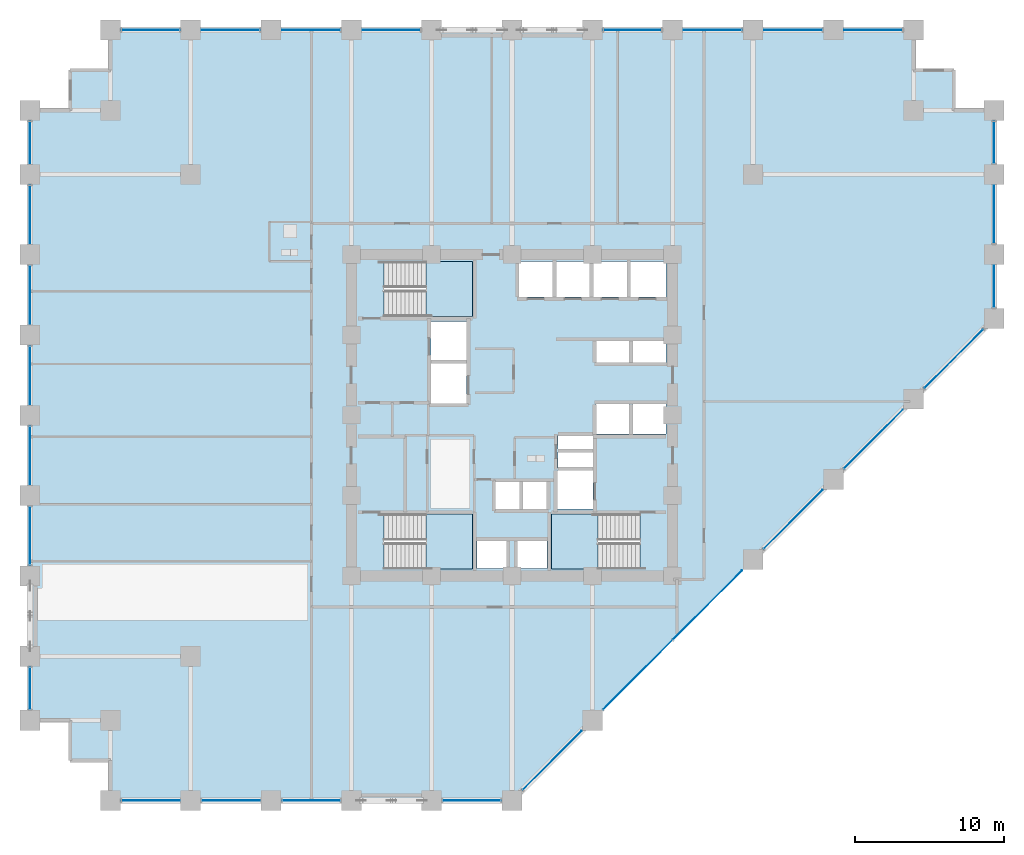
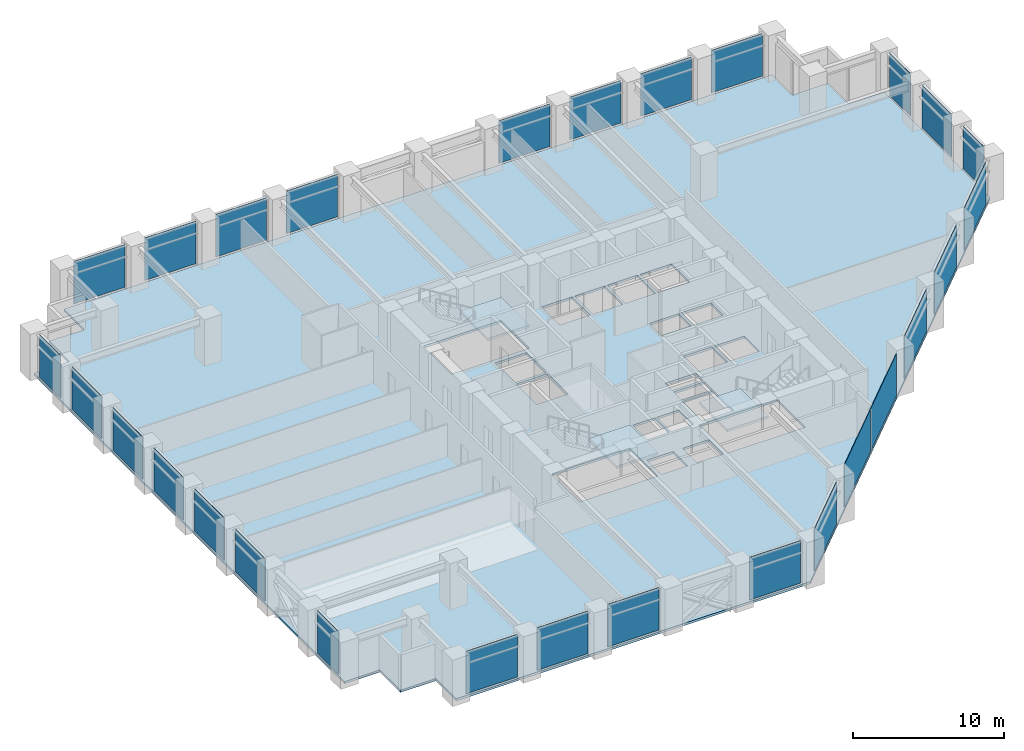
# One storey, part 18 of 25: 28 plates, 4 slabs, 11 elements without a shape of their own.
"""IFC4 building model written with IfcOpenShell, lengths in metres."""

from ifc_helpers import new_model, si_unit, direction, frame, frame_2d, origin, place, context, subcontext, project, spatial, polyline, rectangle, outline, extrude, material, layer, layer_set, type_object, element, aggregate, save


model = new_model("IFC4")

# Units and contexts
model_context = context("Model", 3, precision=1e-05, world=origin(), true_north=direction((0.0, 1.0)))
body_context = subcontext(model_context, "Body", "Model", "MODEL_VIEW")
ifc_project = project(units=[si_unit("LENGTHUNIT", "METRE"), si_unit("AREAUNIT", "SQUARE_METRE"), si_unit("VOLUMEUNIT", "CUBIC_METRE"), si_unit("PLANEANGLEUNIT", "RADIAN"), si_unit("MASSUNIT", "GRAM", prefix="KILO")], contexts=[model_context])

# Site, building, storey
site_placement = place(None, origin())
site = spatial("IfcSite", under=ifc_project, at=site_placement, CompositionType="ELEMENT")
building_placement = place(site_placement, origin())
building = spatial("IfcBuilding", under=site, at=building_placement, Name="Surkhivell Harbour Commons", CompositionType="ELEMENT")
storey_placement = place(building_placement, frame((0.0, 0.0, 41.25)))
storey = spatial("IfcBuildingStorey", under=building, at=storey_placement, Name="L10", CompositionType="ELEMENT", Elevation=41.25)

# Curtain wall, plates
ifc_material_1 = material(Name="Anodised pale-metal aluminium and insulated glazing", Category="aluminium")
ifc_layer_1 = layer(ifc_material_1, 0.219970703125)
ifc_layer_set_1 = layer_set([ifc_layer_1], Name="Anodised pale-metal aluminium and insulated glazing")
curtain_wall_type = type_object("IfcCurtainWallType", Name="CW-SYS-Z1", PredefinedType="NOTDEFINED", material=ifc_layer_set_1)
curtain_wall_1_placement = place(storey_placement, origin())
curtain_wall_1 = element("IfcCurtainWall", 1, at=curtain_wall_1_placement, inside=storey, type_object=curtain_wall_type, Name="L10 Curtain Wall CW-L10-E00S1", PredefinedType="NOTDEFINED")
ifc_material_2 = material(Name="Double-silver low-E laminated vision glass", Category="glass")
ifc_layer_2 = layer(ifc_material_2, 0.031982421875)
ifc_layer_set_2 = layer_set([ifc_layer_2], Name="Double-silver low-E laminated vision glass")
plate_type = type_object("IfcPlateType", Name="CWP-GLZ-32", PredefinedType="CURTAIN_PANEL", material=ifc_layer_set_2)
plate_1_placement = place(storey_placement, frame((-26.248046875, -25.89990234375, 0.14990234375), z_axis=(0.0, 0.0, 1.0), x_axis=(1.0, 0.0, 0.0)))
plate_1 = element("IfcPlate", 2, at=plate_1_placement, type_object=plate_type, Name="CW-Z1 panel 1.1", PredefinedType="CURTAIN_PANEL", context=body_context, shape_type="SweptSolid", body=[
    extrude(rectangle(XDim=3.89599609375, YDim=0.031982421875, at=frame_2d((1.947998046875, 0.0))), origin(), (0.0, 0.0, 1.0), 3.420166015625),
])
plate_2_placement = place(storey_placement, frame((-20.847900390625, -25.89990234375, 0.14990234375), z_axis=(0.0, 0.0, 1.0), x_axis=(1.0, 0.0, 0.0)))
plate_2 = element("IfcPlate", 3, at=plate_2_placement, type_object=plate_type, Name="CW-Z1 panel 2.1", PredefinedType="CURTAIN_PANEL", context=body_context, shape_type="SweptSolid", body=[
    extrude(rectangle(XDim=3.89599609375, YDim=0.031982421875, at=frame_2d((1.947998046875, 0.0))), origin(), (0.0, 0.0, 1.0), 3.420166015625),
])
plate_3_placement = place(storey_placement, frame((-15.447998046875, -25.89990234375, 0.14990234375), z_axis=(0.0, 0.0, 1.0), x_axis=(1.0, 0.0, 0.0)))
plate_3 = element("IfcPlate", 4, at=plate_3_placement, type_object=plate_type, Name="CW-Z1 panel 3.1", PredefinedType="CURTAIN_PANEL", context=body_context, shape_type="SweptSolid", body=[
    extrude(rectangle(XDim=3.89599609375, YDim=0.031982421875, at=frame_2d((1.947998046875, 0.0))), origin(), (0.0, 0.0, 1.0), 3.420166015625),
])
aggregate(curtain_wall_1, [plate_1, plate_2, plate_3])

# Curtain wall, plate
curtain_wall_2_placement = place(storey_placement, origin())
curtain_wall_2 = element("IfcCurtainWall", 5, at=curtain_wall_2_placement, inside=storey, type_object=curtain_wall_type, Name="L10 Curtain Wall CW-L10-E00S2", PredefinedType="NOTDEFINED")
plate_4_placement = place(storey_placement, frame((-4.64794921875, -25.89990234375, 0.14990234375), z_axis=(0.0, 0.0, 1.0), x_axis=(1.0, 0.0, 0.0)))
plate_4 = element("IfcPlate", 6, at=plate_4_placement, type_object=plate_type, Name="CW-Z1 panel 1.1", PredefinedType="CURTAIN_PANEL", context=body_context, shape_type="SweptSolid", body=[
    extrude(rectangle(XDim=3.89599609375, YDim=0.031982421875, at=frame_2d((1.947998046875, 0.0))), origin(), (0.0, 0.0, 1.0), 3.420166015625),
])
aggregate(curtain_wall_2, [plate_4])

# Curtain wall, plates
curtain_wall_3_placement = place(storey_placement, origin())
curtain_wall_3 = element("IfcCurtainWall", 7, at=curtain_wall_3_placement, inside=storey, type_object=curtain_wall_type, Name="L10 Curtain Wall CW-L10-E01", PredefinedType="NOTDEFINED")
plate_5_placement = place(storey_placement, frame((0.729736328125, -25.170166015625, 0.14990234375), z_axis=(0.0, 0.0, 1.0), x_axis=(0.707106781187, 0.707106781187, 0.0)))
plate_5 = element("IfcPlate", 8, at=plate_5_placement, type_object=plate_type, Name="CW-Z1 panel 1.1", PredefinedType="CURTAIN_PANEL", context=body_context, shape_type="SweptSolid", body=[
    extrude(rectangle(XDim=5.572509765625, YDim=0.031982421875, at=frame_2d((2.7861328125, 0.0))), origin(), (0.0, 0.0, 1.0), 3.420166015625),
])
plate_6_placement = place(storey_placement, frame((6.1298828125, -19.770263671875, 0.14990234375), z_axis=(0.0, 0.0, 1.0), x_axis=(0.707088192925, 0.70712536896, 0.0)))
plate_6 = element("IfcPlate", 9, at=plate_6_placement, type_object=plate_type, Name="CW-Z1 panel 2.1", PredefinedType="CURTAIN_PANEL", context=body_context, shape_type="SweptSolid", body=[
    extrude(rectangle(XDim=6.567138671875, YDim=0.031982421875, at=frame_2d((3.28369140625, 0.0))), origin(), (0.0, 0.0, 1.0), 3.420166015625),
])
plate_7_placement = place(storey_placement, frame((10.826416015625, -15.073486328125, 0.14990234375), z_axis=(0.0, 0.0, 1.0), x_axis=(0.70712536896, 0.707088192925, 0.0)))
plate_7 = element("IfcPlate", 10, at=plate_7_placement, type_object=plate_type, Name="CW-Z1 panel 3.1", PredefinedType="CURTAIN_PANEL", context=body_context, shape_type="SweptSolid", body=[
    extrude(rectangle(XDim=6.567138671875, YDim=0.031982421875, at=frame_2d((3.28369140625, 0.0))), origin(), (0.0, 0.0, 1.0), 3.420166015625),
])
plate_8_placement = place(storey_placement, frame((16.929931640625, -8.97021484375, 0.14990234375), z_axis=(0.0, 0.0, 1.0), x_axis=(0.707084874754, 0.70712868694, 0.0)))
plate_8 = element("IfcPlate", 11, at=plate_8_placement, type_object=plate_type, Name="CW-Z1 panel 4.1", PredefinedType="CURTAIN_PANEL", context=body_context, shape_type="SweptSolid", body=[
    extrude(rectangle(XDim=5.572509765625, YDim=0.031982421875, at=frame_2d((2.7861328125, 0.0))), origin(), (0.0, 0.0, 1.0), 3.420166015625),
])
plate_9_placement = place(storey_placement, frame((22.329833984375, -3.570068359375, 0.14990234375), z_axis=(0.0, 0.0, 1.0), x_axis=(0.70712868694, 0.707084874754, 0.0)))
plate_9 = element("IfcPlate", 12, at=plate_9_placement, type_object=plate_type, Name="CW-Z1 panel 5.1", PredefinedType="CURTAIN_PANEL", context=body_context, shape_type="SweptSolid", body=[
    extrude(rectangle(XDim=5.572509765625, YDim=0.031982421875, at=frame_2d((2.7861328125, 0.0))), origin(), (0.0, 0.0, 1.0), 3.420166015625),
])
plate_10_placement = place(storey_placement, frame((27.729736328125, 1.829833984375, 0.14990234375), z_axis=(0.0, 0.0, 1.0), x_axis=(0.707106781187, 0.707106781187, 0.0)))
plate_10 = element("IfcPlate", 13, at=plate_10_placement, type_object=plate_type, Name="CW-Z1 panel 6.1", PredefinedType="CURTAIN_PANEL", context=body_context, shape_type="SweptSolid", body=[
    extrude(rectangle(XDim=5.572509765625, YDim=0.031982421875, at=frame_2d((2.7861328125, 0.0))), origin(), (0.0, 0.0, 1.0), 3.420166015625),
])
aggregate(curtain_wall_3, [plate_5, plate_6, plate_7, plate_8, plate_9, plate_10])

curtain_wall_4_placement = place(storey_placement, origin())
curtain_wall_4 = element("IfcCurtainWall", 14, at=curtain_wall_4_placement, inside=storey, type_object=curtain_wall_type, Name="L10 Curtain Wall CW-L10-E02", PredefinedType="NOTDEFINED")
plate_11_placement = place(storey_placement, frame((32.39990234375, 7.251953125, 0.14990234375), z_axis=(0.0, 0.0, 1.0), x_axis=(0.0, 1.0, 0.0)))
plate_11 = element("IfcPlate", 15, at=plate_11_placement, type_object=plate_type, Name="CW-Z1 panel 1.1", PredefinedType="CURTAIN_PANEL", context=body_context, shape_type="SweptSolid", body=[
    extrude(rectangle(XDim=2.796142578125, YDim=0.031982421875, at=frame_2d((1.39794921875, 0.0))), origin(), (0.0, 0.0, 1.0), 3.420166015625),
])
plate_12_placement = place(storey_placement, frame((32.39990234375, 11.552001953125, 0.14990234375), z_axis=(0.0, 0.0, 1.0), x_axis=(0.0, 1.0, 0.0)))
plate_12 = element("IfcPlate", 16, at=plate_12_placement, type_object=plate_type, Name="CW-Z1 panel 2.1", PredefinedType="CURTAIN_PANEL", context=body_context, shape_type="SweptSolid", body=[
    extrude(rectangle(XDim=3.89599609375, YDim=0.031982421875, at=frame_2d((1.947998046875, 0.0))), origin(), (0.0, 0.0, 1.0), 3.420166015625),
])
plate_13_placement = place(storey_placement, frame((32.39990234375, 16.951904296875, 0.14990234375), z_axis=(0.0, 0.0, 1.0), x_axis=(0.0, 1.0, 0.0)))
plate_13 = element("IfcPlate", 17, at=plate_13_placement, type_object=plate_type, Name="CW-Z1 panel 3.1", PredefinedType="CURTAIN_PANEL", context=body_context, shape_type="SweptSolid", body=[
    extrude(rectangle(XDim=2.796142578125, YDim=0.031982421875, at=frame_2d((1.39794921875, 0.0))), origin(), (0.0, 0.0, 1.0), 3.420166015625),
])
aggregate(curtain_wall_4, [plate_11, plate_12, plate_13])

curtain_wall_5_placement = place(storey_placement, origin())
curtain_wall_5 = element("IfcCurtainWall", 18, at=curtain_wall_5_placement, inside=storey, type_object=curtain_wall_type, Name="L10 Curtain Wall CW-L10-E07S1", PredefinedType="NOTDEFINED")
plate_14_placement = place(storey_placement, frame((26.248046875, 25.89990234375, 0.14990234375), z_axis=(0.0, 0.0, 1.0), x_axis=(-1.0, 0.0, 0.0)))
plate_14 = element("IfcPlate", 19, at=plate_14_placement, type_object=plate_type, Name="CW-Z1 panel 1.1", PredefinedType="CURTAIN_PANEL", context=body_context, shape_type="SweptSolid", body=[
    extrude(rectangle(XDim=3.89599609375, YDim=0.031982421875, at=frame_2d((1.947998046875, 0.0))), origin(), (0.0, 0.0, 1.0), 3.420166015625),
])
plate_15_placement = place(storey_placement, frame((20.847900390625, 25.89990234375, 0.14990234375), z_axis=(0.0, 0.0, 1.0), x_axis=(-1.0, 0.0, 0.0)))
plate_15 = element("IfcPlate", 20, at=plate_15_placement, type_object=plate_type, Name="CW-Z1 panel 2.1", PredefinedType="CURTAIN_PANEL", context=body_context, shape_type="SweptSolid", body=[
    extrude(rectangle(XDim=3.89599609375, YDim=0.031982421875, at=frame_2d((1.947998046875, 0.0))), origin(), (0.0, 0.0, 1.0), 3.420166015625),
])
plate_16_placement = place(storey_placement, frame((15.447998046875, 25.89990234375, 0.14990234375), z_axis=(0.0, 0.0, 1.0), x_axis=(-1.0, 0.0, 0.0)))
plate_16 = element("IfcPlate", 21, at=plate_16_placement, type_object=plate_type, Name="CW-Z1 panel 3.1", PredefinedType="CURTAIN_PANEL", context=body_context, shape_type="SweptSolid", body=[
    extrude(rectangle(XDim=3.89599609375, YDim=0.031982421875, at=frame_2d((1.947998046875, 0.0))), origin(), (0.0, 0.0, 1.0), 3.420166015625),
])
plate_17_placement = place(storey_placement, frame((10.048095703125, 25.89990234375, 0.14990234375), z_axis=(0.0, 0.0, 1.0), x_axis=(-1.0, 0.0, 0.0)))
plate_17 = element("IfcPlate", 22, at=plate_17_placement, type_object=plate_type, Name="CW-Z1 panel 4.1", PredefinedType="CURTAIN_PANEL", context=body_context, shape_type="SweptSolid", body=[
    extrude(rectangle(XDim=3.89599609375, YDim=0.031982421875, at=frame_2d((1.947998046875, 0.0))), origin(), (0.0, 0.0, 1.0), 3.420166015625),
])
aggregate(curtain_wall_5, [plate_14, plate_15, plate_16, plate_17])

curtain_wall_6_placement = place(storey_placement, origin())
curtain_wall_6 = element("IfcCurtainWall", 23, at=curtain_wall_6_placement, inside=storey, type_object=curtain_wall_type, Name="L10 Curtain Wall CW-L10-E07S2", PredefinedType="NOTDEFINED")
plate_18_placement = place(storey_placement, frame((-6.152099609375, 25.89990234375, 0.14990234375), z_axis=(0.0, 0.0, 1.0), x_axis=(-1.0, 0.0, 0.0)))
plate_18 = element("IfcPlate", 24, at=plate_18_placement, type_object=plate_type, Name="CW-Z1 panel 1.1", PredefinedType="CURTAIN_PANEL", context=body_context, shape_type="SweptSolid", body=[
    extrude(rectangle(XDim=3.89599609375, YDim=0.031982421875, at=frame_2d((1.947998046875, 0.0))), origin(), (0.0, 0.0, 1.0), 3.420166015625),
])
plate_19_placement = place(storey_placement, frame((-11.552001953125, 25.89990234375, 0.14990234375), z_axis=(0.0, 0.0, 1.0), x_axis=(-1.0, 0.0, 0.0)))
plate_19 = element("IfcPlate", 25, at=plate_19_placement, type_object=plate_type, Name="CW-Z1 panel 2.1", PredefinedType="CURTAIN_PANEL", context=body_context, shape_type="SweptSolid", body=[
    extrude(rectangle(XDim=3.89599609375, YDim=0.031982421875, at=frame_2d((1.947998046875, 0.0))), origin(), (0.0, 0.0, 1.0), 3.420166015625),
])
plate_20_placement = place(storey_placement, frame((-16.951904296875, 25.89990234375, 0.14990234375), z_axis=(0.0, 0.0, 1.0), x_axis=(-1.0, 0.0, 0.0)))
plate_20 = element("IfcPlate", 26, at=plate_20_placement, type_object=plate_type, Name="CW-Z1 panel 3.1", PredefinedType="CURTAIN_PANEL", context=body_context, shape_type="SweptSolid", body=[
    extrude(rectangle(XDim=3.89599609375, YDim=0.031982421875, at=frame_2d((1.947998046875, 0.0))), origin(), (0.0, 0.0, 1.0), 3.420166015625),
])
plate_21_placement = place(storey_placement, frame((-22.35205078125, 25.89990234375, 0.14990234375), z_axis=(0.0, 0.0, 1.0), x_axis=(-1.0, 0.0, 0.0)))
plate_21 = element("IfcPlate", 27, at=plate_21_placement, type_object=plate_type, Name="CW-Z1 panel 4.1", PredefinedType="CURTAIN_PANEL", context=body_context, shape_type="SweptSolid", body=[
    extrude(rectangle(XDim=3.89599609375, YDim=0.031982421875, at=frame_2d((1.947998046875, 0.0))), origin(), (0.0, 0.0, 1.0), 3.420166015625),
])
aggregate(curtain_wall_6, [plate_18, plate_19, plate_20, plate_21])

curtain_wall_7_placement = place(storey_placement, origin())
curtain_wall_7 = element("IfcCurtainWall", 28, at=curtain_wall_7_placement, inside=storey, type_object=curtain_wall_type, Name="L10 Curtain Wall CW-L10-E12S1", PredefinedType="NOTDEFINED")
plate_22_placement = place(storey_placement, frame((-32.39990234375, 19.748046875, 0.14990234375), z_axis=(0.0, 0.0, 1.0), x_axis=(0.0, -1.0, 0.0)))
plate_22 = element("IfcPlate", 29, at=plate_22_placement, type_object=plate_type, Name="CW-Z1 panel 1.1", PredefinedType="CURTAIN_PANEL", context=body_context, shape_type="SweptSolid", body=[
    extrude(rectangle(XDim=2.796142578125, YDim=0.031982421875, at=frame_2d((1.39794921875, 0.0))), origin(), (0.0, 0.0, 1.0), 3.420166015625),
])
plate_23_placement = place(storey_placement, frame((-32.39990234375, 15.447998046875, 0.14990234375), z_axis=(0.0, 0.0, 1.0), x_axis=(0.0, -1.0, 0.0)))
plate_23 = element("IfcPlate", 30, at=plate_23_placement, type_object=plate_type, Name="CW-Z1 panel 2.1", PredefinedType="CURTAIN_PANEL", context=body_context, shape_type="SweptSolid", body=[
    extrude(rectangle(XDim=3.89599609375, YDim=0.031982421875, at=frame_2d((1.947998046875, 0.0))), origin(), (0.0, 0.0, 1.0), 3.420166015625),
])
plate_24_placement = place(storey_placement, frame((-32.39990234375, 10.048095703125, 0.14990234375), z_axis=(0.0, 0.0, 1.0), x_axis=(0.0, -1.0, 0.0)))
plate_24 = element("IfcPlate", 31, at=plate_24_placement, type_object=plate_type, Name="CW-Z1 panel 3.1", PredefinedType="CURTAIN_PANEL", context=body_context, shape_type="SweptSolid", body=[
    extrude(rectangle(XDim=3.89599609375, YDim=0.031982421875, at=frame_2d((1.947998046875, 0.0))), origin(), (0.0, 0.0, 1.0), 3.420166015625),
])
plate_25_placement = place(storey_placement, frame((-32.39990234375, 4.64794921875, 0.14990234375), z_axis=(0.0, 0.0, 1.0), x_axis=(0.0, -1.0, 0.0)))
plate_25 = element("IfcPlate", 32, at=plate_25_placement, type_object=plate_type, Name="CW-Z1 panel 4.1", PredefinedType="CURTAIN_PANEL", context=body_context, shape_type="SweptSolid", body=[
    extrude(rectangle(XDim=3.89599609375, YDim=0.031982421875, at=frame_2d((1.947998046875, 0.0))), origin(), (0.0, 0.0, 1.0), 3.420166015625),
])
plate_26_placement = place(storey_placement, frame((-32.39990234375, -0.751953125, 0.14990234375), z_axis=(0.0, 0.0, 1.0), x_axis=(0.0, -1.0, 0.0)))
plate_26 = element("IfcPlate", 33, at=plate_26_placement, type_object=plate_type, Name="CW-Z1 panel 5.1", PredefinedType="CURTAIN_PANEL", context=body_context, shape_type="SweptSolid", body=[
    extrude(rectangle(XDim=3.89599609375, YDim=0.031982421875, at=frame_2d((1.947998046875, 0.0))), origin(), (0.0, 0.0, 1.0), 3.420166015625),
])
plate_27_placement = place(storey_placement, frame((-32.39990234375, -6.152099609375, 0.14990234375), z_axis=(0.0, 0.0, 1.0), x_axis=(0.0, -1.0, 0.0)))
plate_27 = element("IfcPlate", 34, at=plate_27_placement, type_object=plate_type, Name="CW-Z1 panel 6.1", PredefinedType="CURTAIN_PANEL", context=body_context, shape_type="SweptSolid", body=[
    extrude(rectangle(XDim=3.89599609375, YDim=0.031982421875, at=frame_2d((1.947998046875, 0.0))), origin(), (0.0, 0.0, 1.0), 3.420166015625),
])
aggregate(curtain_wall_7, [plate_22, plate_23, plate_24, plate_25, plate_26, plate_27])

# Curtain wall, plate
curtain_wall_8_placement = place(storey_placement, origin())
curtain_wall_8 = element("IfcCurtainWall", 35, at=curtain_wall_8_placement, inside=storey, type_object=curtain_wall_type, Name="L10 Curtain Wall CW-L10-E12S2", PredefinedType="NOTDEFINED")
plate_28_placement = place(storey_placement, frame((-32.39990234375, -16.951904296875, 0.14990234375), z_axis=(0.0, 0.0, 1.0), x_axis=(0.0, -1.0, 0.0)))
plate_28 = element("IfcPlate", 36, at=plate_28_placement, type_object=plate_type, Name="CW-Z1 panel 1.1", PredefinedType="CURTAIN_PANEL", context=body_context, shape_type="SweptSolid", body=[
    extrude(rectangle(XDim=2.796142578125, YDim=0.031982421875, at=frame_2d((1.39794921875, 0.0))), origin(), (0.0, 0.0, 1.0), 3.420166015625),
])
aggregate(curtain_wall_8, [plate_28])

# Stair, slab
ifc_material_3 = material(Name="Precast concrete C45/55", Category="concrete")
stair_type = type_object("IfcStairType", Name="STR-DL-375", PredefinedType="HALF_TURN_STAIR", material=ifc_material_3)
stair_1_placement = place(storey_placement, origin())
stair_1 = element("IfcStair", 37, at=stair_1_placement, inside=storey, type_object=stair_type, Name="L10 Core Exit Stair ST1", PredefinedType="HALF_TURN_STAIR")
ifc_material_4 = material(Name="Reinforced concrete C45/55", Category="concrete")
ifc_layer_3 = layer(ifc_material_4, 0.199951171875)
ifc_layer_set_3 = layer_set([ifc_layer_3], Name="Reinforced concrete C45/55")
slab_type_1 = type_object("IfcSlabType", Name="SLB-ST-LND200", PredefinedType="LANDING", material=ifc_layer_set_3)
slab_1_placement = place(storey_placement, frame((0.0, 0.0, 1.675048828125)))
slab_1 = element("IfcSlab", 38, at=slab_1_placement, type_object=slab_type_1, Name="ST1 landing 1", PredefinedType="LANDING", context=body_context, shape_type="SweptSolid", body=[
    extrude(outline(polyline([(-5.7900390625, 6.639892578125), (-2.639892578125, 6.639892578125), (-2.639892578125, 10.340087890625), (-5.7900390625, 10.340087890625), (-5.7900390625, 6.639892578125)])), origin(), (0.0, 0.0, 1.0), 0.199951171875),
])
aggregate(stair_1, [slab_1])

stair_2_placement = place(storey_placement, origin())
stair_2 = element("IfcStair", 39, at=stair_2_placement, inside=storey, type_object=stair_type, Name="L10 Core Exit Stair ST2", PredefinedType="HALF_TURN_STAIR")
slab_2_placement = place(storey_placement, frame((0.0, 0.0, 1.675048828125)))
slab_2 = element("IfcSlab", 40, at=slab_2_placement, type_object=slab_type_1, Name="ST2 landing 1", PredefinedType="LANDING", context=body_context, shape_type="SweptSolid", body=[
    extrude(outline(polyline([(5.7900390625, -6.639892578125), (2.639892578125, -6.639892578125), (2.639892578125, -10.340087890625), (5.7900390625, -10.340087890625), (5.7900390625, -6.639892578125)])), origin(), (0.0, 0.0, 1.0), 0.199951171875),
])
aggregate(stair_2, [slab_2])

stair_3_placement = place(storey_placement, origin())
stair_3 = element("IfcStair", 41, at=stair_3_placement, inside=storey, type_object=stair_type, Name="L10 Core Exit Stair ST3", PredefinedType="HALF_TURN_STAIR")
slab_3_placement = place(storey_placement, frame((0.0, 0.0, 1.675048828125)))
slab_3 = element("IfcSlab", 42, at=slab_3_placement, type_object=slab_type_1, Name="ST3 landing 1", PredefinedType="LANDING", context=body_context, shape_type="SweptSolid", body=[
    extrude(outline(polyline([(-5.7900390625, -10.340087890625), (-2.639892578125, -10.340087890625), (-2.639892578125, -6.639892578125), (-5.7900390625, -6.639892578125), (-5.7900390625, -10.340087890625)])), origin(), (0.0, 0.0, 1.0), 0.199951171875),
])
aggregate(stair_3, [slab_3])

# Slab
ifc_material_5 = material(Name="Concrete C45/55", Category="concrete")
ifc_layer_4 = layer(ifc_material_5, 0.179931640625)
ifc_layer_set_4 = layer_set([ifc_layer_4], Name="Concrete C45/55")
slab_type_2 = type_object("IfcSlabType", Name="SLB-TYP-180", PredefinedType="FLOOR", material=ifc_layer_set_4)
slab_4_placement = place(storey_placement, frame((0.0, 0.0, -0.179931640625)))
element("IfcSlab", 43, at=slab_4_placement, inside=storey, type_object=slab_type_2, Name="L10 Structural Floor Slab", PredefinedType="FLOOR", context=body_context, shape_type="SweptSolid", body=[
    extrude(outline(polyline([(-27.0, -25.89990234375), (0.0, -25.89990234375), (32.39990234375, 6.5), (32.39990234375, 20.5), (29.699951171875, 20.5), (29.699951171875, 23.199951171875), (27.0, 23.199951171875), (27.0, 25.89990234375), (-27.0, 25.89990234375), (-27.0, 23.199951171875), (-29.699951171875, 23.199951171875), (-29.699951171875, 20.5), (-32.39990234375, 20.5), (-32.39990234375, -20.5), (-29.699951171875, -20.5), (-29.699951171875, -23.199951171875), (-27.0, -23.199951171875), (-27.0, -25.89990234375)]), holes=[polyline([(-8.590087890625, 6.639892578125), (-2.639892578125, 6.639892578125), (-2.639892578125, 10.340087890625), (-8.590087890625, 10.340087890625), (-8.590087890625, 6.639892578125)]), polyline([(8.590087890625, -6.639892578125), (2.639892578125, -6.639892578125), (2.639892578125, -10.340087890625), (8.590087890625, -10.340087890625), (8.590087890625, -6.639892578125)]), polyline([(-8.590087890625, -10.340087890625), (-2.639892578125, -10.340087890625), (-2.639892578125, -6.639892578125), (-8.590087890625, -6.639892578125), (-8.590087890625, -10.340087890625)]), polyline([(0.449951171875, 7.949951171875), (2.75, 7.949951171875), (2.75, 10.35009765625), (0.449951171875, 10.35009765625), (0.449951171875, 7.949951171875)]), polyline([(2.949951171875, 7.949951171875), (5.25, 7.949951171875), (5.25, 10.35009765625), (2.949951171875, 10.35009765625), (2.949951171875, 7.949951171875)]), polyline([(5.449951171875, 7.949951171875), (7.75, 7.949951171875), (7.75, 10.35009765625), (5.449951171875, 10.35009765625), (5.449951171875, 7.949951171875)]), polyline([(7.949951171875, 7.949951171875), (10.35009765625, 7.949951171875), (10.35009765625, 10.35009765625), (7.949951171875, 10.35009765625), (7.949951171875, 7.949951171875)]), polyline([(5.64990234375, 3.550048828125), (7.89990234375, 3.550048828125), (7.89990234375, 5.14990234375), (5.64990234375, 5.14990234375), (5.64990234375, 3.550048828125)]), polyline([(8.10009765625, 3.550048828125), (10.35009765625, 3.550048828125), (10.35009765625, 5.14990234375), (8.10009765625, 5.14990234375), (8.10009765625, 3.550048828125)]), polyline([(5.64990234375, -1.25), (7.89990234375, -1.25), (7.89990234375, 0.75), (5.64990234375, 0.75), (5.64990234375, -1.25)]), polyline([(8.10009765625, -1.25), (10.35009765625, -1.25), (10.35009765625, 0.75), (8.10009765625, 0.75), (8.10009765625, -1.25)]), polyline([(-1.14990234375, -6.35009765625), (0.550048828125, -6.35009765625), (0.550048828125, -4.449951171875), (-1.14990234375, -4.449951171875), (-1.14990234375, -6.35009765625)]), polyline([(0.679931640625, -6.35009765625), (2.3798828125, -6.35009765625), (2.3798828125, -4.449951171875), (0.679931640625, -4.449951171875), (0.679931640625, -6.35009765625)]), polyline([(-2.35009765625, -10.300048828125), (-0.35009765625, -10.300048828125), (-0.35009765625, -8.39990234375), (-2.35009765625, -8.39990234375), (-2.35009765625, -10.300048828125)]), polyline([(0.35009765625, -10.300048828125), (2.35009765625, -10.300048828125), (2.35009765625, -8.39990234375), (0.35009765625, -8.39990234375), (0.35009765625, -10.300048828125)]), polyline([(-5.449951171875, 3.699951171875), (-3.050048828125, 3.699951171875), (-3.050048828125, 6.300048828125), (-5.449951171875, 6.300048828125), (-5.449951171875, 3.699951171875)]), polyline([(3.050048828125, -6.300048828125), (5.449951171875, -6.300048828125), (5.449951171875, -3.699951171875), (3.050048828125, -3.699951171875), (3.050048828125, -6.300048828125)]), polyline([(-5.449951171875, 0.800048828125), (-3.050048828125, 0.800048828125), (-3.050048828125, 3.5), (-5.449951171875, 3.5), (-5.449951171875, 0.800048828125)]), polyline([(3.10009765625, -3.550048828125), (5.449951171875, -3.550048828125), (5.449951171875, -2.47998046875), (3.10009765625, -2.47998046875), (3.10009765625, -3.550048828125)]), polyline([(3.10009765625, -2.280029296875), (5.449951171875, -2.280029296875), (5.449951171875, -1.35009765625), (3.10009765625, -1.35009765625), (3.10009765625, -2.280029296875)])]), origin(), (0.0, 0.0, 1.0), 0.179931640625),
])

save(model, "model.ifc")
